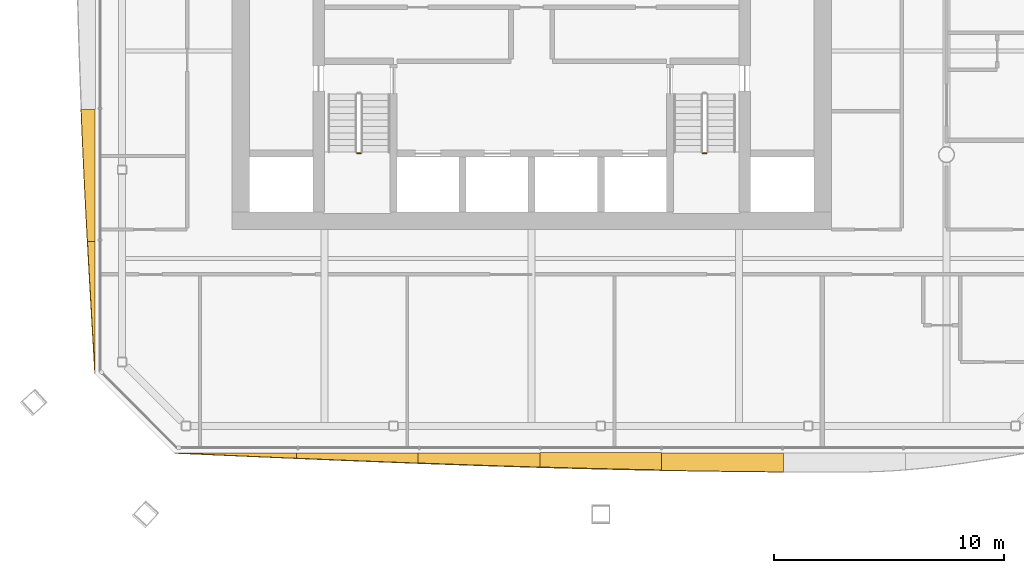
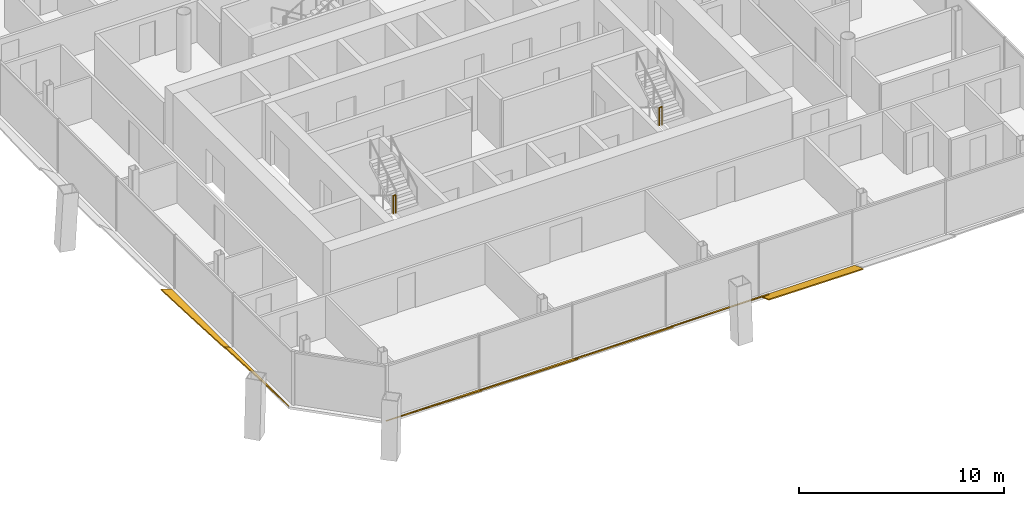
# One storey, part 16 of 18: 7 shading devices, 2 railings.
"""IFC4 building model written with IfcOpenShell, lengths in metres."""

import ifcopenshell
import ifcopenshell.guid

model = None  # the IFC model being written
_history = None  # IfcOwnerHistory: only IFC2X3 demands one
_inside = {}  # id of a spatial element -> (the spatial element, [elements in it])
_under = {}  # id of a project, library or spatial element -> (it, [spatial elements below it])
_declared = {}  # id of a project -> (the project, [libraries it declares])
_typed = {}  # id of a type object -> (the type object, [elements of that type])
_made_of = {}  # id of a material, layer set ... -> (it, [elements and type objects made of it])


def new_model(schema):
    """Start an empty IFC model of exactly this schema.

    Asked for "IFC4X3", IfcOpenShell would pick the latest addendum, in which some entities
    have other attributes; the version numbers below select the first issue.
    IFC2X3 requires an IfcOwnerHistory on every rooted entity: one is made here for all.
    """
    global model, _history
    if schema == "IFC4X3":
        model = ifcopenshell.file(schema_version=(4, 3, 0, 0))
    else:
        model = ifcopenshell.file(schema=schema)
    _inside.clear()
    _under.clear()
    _declared.clear()
    _typed.clear()
    _made_of.clear()
    _history = None
    if model.schema == "IFC2X3":
        org = make("IfcOrganization", Name="unknown")
        user = make(
            "IfcPersonAndOrganization",
            ThePerson=make("IfcPerson", FamilyName="unknown"),
            TheOrganization=org,
        )
        app = make(
            "IfcApplication",
            ApplicationDeveloper=org,
            Version="unknown",
            ApplicationFullName="unknown",
            ApplicationIdentifier="unknown",
        )
        _history = make(
            "IfcOwnerHistory",
            OwningUser=user,
            OwningApplication=app,
            ChangeAction="ADDED",
            CreationDate=0,
        )
    return model


def make(cls, **values):
    """One entity of the class cls with the attributes given. An attribute that is None is left unset."""
    return model.create_entity(
        cls, **{name: value for name, value in values.items() if value is not None}
    )


def rooted(cls, **values):
    """An entity with a GlobalId (a new one), such as an element, a storey or a relation."""
    return make(cls, GlobalId=ifcopenshell.guid.new(), OwnerHistory=_history, **values)


def si_unit(unit_type, name, prefix=None):
    """IfcSIUnit, for example si_unit("LENGTHUNIT", "METRE", prefix="MILLI")."""
    return make("IfcSIUnit", UnitType=unit_type, Prefix=prefix, Name=name)


def assignment(units):
    """IfcUnitAssignment: the units of a project."""
    return None if units is None else make("IfcUnitAssignment", Units=units)


def point(xyz):
    """IfcCartesianPoint."""
    return None if xyz is None else make("IfcCartesianPoint", Coordinates=xyz)


def direction(xyz):
    """IfcDirection."""
    return None if xyz is None else make("IfcDirection", DirectionRatios=xyz)


def frame(location, z_axis=None, x_axis=None):
    """IfcAxis2Placement3D, a coordinate frame: its origin and axes. An axis left out is left unset."""
    return make(
        "IfcAxis2Placement3D",
        Location=point(location),
        Axis=direction(z_axis),
        RefDirection=direction(x_axis),
    )


def frame_2d(location, x_axis=None):
    """IfcAxis2Placement2D, a coordinate frame in the plane: its origin and x axis."""
    return make(
        "IfcAxis2Placement2D", Location=point(location), RefDirection=direction(x_axis)
    )


def origin():
    """The frame at (0, 0, 0) with its axes left unset."""
    return frame((0.0, 0.0, 0.0))


def origin_2d():
    """The frame at (0, 0) in the plane with its x axis left unset."""
    return frame_2d((0.0, 0.0))


def place(relative_to, where):
    """IfcLocalPlacement: puts the frame where relative to a parent placement (None: the world)."""
    return make(
        "IfcLocalPlacement", PlacementRelTo=relative_to, RelativePlacement=where
    )


def context(
    kind, dimensions, precision=None, world=None, true_north=None, identifier=None
):
    """IfcGeometricRepresentationContext, for example the 3D "Model" context."""
    return make(
        "IfcGeometricRepresentationContext",
        ContextIdentifier=identifier,
        ContextType=kind,
        CoordinateSpaceDimension=dimensions,
        Precision=precision,
        WorldCoordinateSystem=world,
        TrueNorth=true_north,
    )


def subcontext(parent, identifier, kind, view, scale=None):
    """IfcGeometricRepresentationSubContext, for example "Body" below "Model"."""
    return make(
        "IfcGeometricRepresentationSubContext",
        ContextIdentifier=identifier,
        ContextType=kind,
        ParentContext=parent,
        TargetScale=scale,
        TargetView=view,
    )


def project(units=None, contexts=None):
    """IfcProject with its units and contexts."""
    return rooted(
        "IfcProject",
        Name="project",
        RepresentationContexts=contexts,
        UnitsInContext=assignment(units),
    )


def spatial(cls, under=None, at=None, **own):
    """A site, building, storey or space (cls), placed at a placement, below another one or the project."""
    s = rooted(cls, ObjectPlacement=at, **own)
    if under is not None:
        _under.setdefault(under.id(), (under, []))[1].append(s)
    return s


def polyline(points):
    """IfcPolyline through the points."""
    return make("IfcPolyline", Points=[point(p) for p in points])


def profile(cls, at=None, kind="AREA", **sizes):
    """A parametric profile (cls). Its sizes go by their IFC names, for example OverallWidth=200.0."""
    return make(cls, ProfileType=kind, Position=at, **sizes)


def circle(**sizes):
    """IfcCircleProfileDef."""
    return profile("IfcCircleProfileDef", **sizes)


def outline(outer, holes=None, kind="AREA"):
    """IfcArbitraryClosedProfileDef: a profile drawn as a closed curve; with holes, ...WithVoids."""
    if holes is None:
        return make("IfcArbitraryClosedProfileDef", ProfileType=kind, OuterCurve=outer)
    return make(
        "IfcArbitraryProfileDefWithVoids",
        ProfileType=kind,
        OuterCurve=outer,
        InnerCurves=holes,
    )


def extrude(swept, where, along, depth):
    """IfcExtrudedAreaSolid: the profile swept, set in the frame where, extruded along a direction by depth."""
    return make(
        "IfcExtrudedAreaSolid",
        SweptArea=swept,
        Position=where,
        ExtrudedDirection=direction(along),
        Depth=depth,
    )


def shape(context_of_items, identifier, shape_type, items):
    """IfcShapeRepresentation: the items that make up one representation, for example the "Body"."""
    return make(
        "IfcShapeRepresentation",
        ContextOfItems=context_of_items,
        RepresentationIdentifier=identifier,
        RepresentationType=shape_type,
        Items=items,
    )


def material(Name=None, Category=None):
    """IfcMaterial."""
    return make("IfcMaterial", Name=Name, Category=Category)


def layer(
    of_material, thickness, ventilated=None, Name=None, Category=None, Priority=None
):
    """IfcMaterialLayer: one layer of a wall or slab, of a material (None: an air gap)."""
    return make(
        "IfcMaterialLayer",
        Material=of_material,
        LayerThickness=thickness,
        IsVentilated=ventilated,
        Name=Name,
        Category=Category,
        Priority=Priority,
    )


def layer_set(layers, Name=None):
    """IfcMaterialLayerSet."""
    return make("IfcMaterialLayerSet", MaterialLayers=layers, LayerSetName=Name)


def made_of(thing, what):
    """Note that an element or type object is made of a material, layer set ...; save() writes the relation."""
    if what is not None:
        _made_of.setdefault(what.id(), (what, []))[1].append(thing)
    return thing


def type_object(cls, material=None, **own):
    """A type object (cls), such as IfcWallType, which elements share."""
    return made_of(rooted(cls, **own), material)


def element(
    cls,
    number,
    at=None,
    inside=None,
    cuts=None,
    type_object=None,
    material=None,
    context=None,
    identifier="Body",
    shape_type=None,
    held_by="IfcProductDefinitionShape",
    body=None,
    shapes=None,
    **own,
):
    """One element of the class cls, such as IfcWall. Its Tag is "e" and its number.

    at: its placement. inside: the storey or other place that contains it. cuts: it is an
    opening in that element (IfcRelVoidsElement). A single representation is given by context,
    identifier, shape_type and body (its items); several are given by shapes. held_by: the class
    of the entity that holds the representations. save() writes the other relations.
    """
    e = rooted(cls, Tag="e%d" % number, ObjectPlacement=at, **own)
    if body is not None:
        shapes = [shape(context, identifier, shape_type, body)]
    if shapes is not None:
        e.Representation = make(held_by, Representations=shapes)
    if inside is not None:
        _inside.setdefault(inside.id(), (inside, []))[1].append(e)
    if cuts is not None:
        rooted(
            "IfcRelVoidsElement", RelatingBuildingElement=cuts, RelatedOpeningElement=e
        )
    if type_object is not None:
        _typed.setdefault(type_object.id(), (type_object, []))[1].append(e)
    return made_of(e, material)


def aggregate(whole, parts):
    """IfcRelAggregates: a whole, such as a stair, and the parts it consists of."""
    return rooted("IfcRelAggregates", RelatingObject=whole, RelatedObjects=parts)


def save(model, path):
    """Write the relations noted so far, then the file.

    IfcRelAggregates (storeys below a building ...), IfcRelContainedInSpatialStructure (elements
    in a storey), IfcRelDefinesByType, IfcRelAssociatesMaterial and IfcRelDeclares: one each for
    every whole, place, type object, material and project.
    """
    for whole, parts in _under.values():
        aggregate(whole, parts)
    for where, things in _inside.values():
        rooted(
            "IfcRelContainedInSpatialStructure",
            RelatedElements=things,
            RelatingStructure=where,
        )
    for kind, things in _typed.values():
        rooted("IfcRelDefinesByType", RelatedObjects=things, RelatingType=kind)
    for what, things in _made_of.values():
        rooted("IfcRelAssociatesMaterial", RelatedObjects=things, RelatingMaterial=what)
    for by, libraries in _declared.values():
        rooted("IfcRelDeclares", RelatingContext=by, RelatedDefinitions=libraries)
    model.write(path)


model = new_model("IFC4")

# Units and contexts
model_context = context("Model", 3, precision=1e-05, world=origin(), true_north=direction((0.0, 1.0)))
body_context = subcontext(model_context, "Body", "Model", "MODEL_VIEW")
ifc_project = project(units=[si_unit("LENGTHUNIT", "METRE"), si_unit("AREAUNIT", "SQUARE_METRE"), si_unit("VOLUMEUNIT", "CUBIC_METRE"), si_unit("PLANEANGLEUNIT", "RADIAN"), si_unit("MASSUNIT", "GRAM", prefix="KILO")], contexts=[model_context])

# Site, building, storey
site_placement = place(None, origin())
site = spatial("IfcSite", under=ifc_project, at=site_placement, CompositionType="ELEMENT")
building_placement = place(site_placement, origin())
building = spatial("IfcBuilding", under=site, at=building_placement, Name="Tskaro Facet Tower", CompositionType="ELEMENT")
storey_placement = place(building_placement, frame((0.0, 0.0, 155.5)))
storey = spatial("IfcBuildingStorey", under=building, at=storey_placement, Name="L38", CompositionType="ELEMENT", Elevation=155.5)

# Shading devices
ifc_material_1 = material(Name="Bronze anodised aluminium 6063-T6", Category="aluminium")
ifc_layer = layer(ifc_material_1, 0.06005859375, Name="Bronze anodised aluminium 6063-T6")
ifc_layer_set = layer_set([ifc_layer], Name="Bronze anodised aluminium 6063-T6")
shading_device_type = type_object("IfcShadingDeviceType", Name="Bronze sun blade (FN1)", PredefinedType="USERDEFINED", material=ifc_layer_set)
shading_device_1_placement = place(storey_placement, frame((-15.49609375, -21.94873046875, 0.054443359375), z_axis=(-1.4999382e-05, 0.422552167363, 0.906338604293), x_axis=(0.999999999888, 6.338021e-06, 1.3594519e-05)))
element("IfcShadingDevice", 1, at=shading_device_1_placement, inside=storey, type_object=shading_device_type, Name="Fin blade south 1", ObjectType="FIN", PredefinedType="USERDEFINED", context=body_context, shape_type="SweptSolid", body=[
    extrude(outline(polyline([(0.0, 0.0), (5.284667968155524, 0.0), (5.284667969335745, -0.2540527972668729), (4.624023436882823, -0.22303552271960905), (3.9636230481496115, -0.19157570002566796), (3.3029785154724527, -0.16001271518148014), (2.6423339843426628, -0.12822845626395368), (1.9816894532128724, -0.09644419734642723), (1.3212890609364492, -0.06433550220531545), (0.6606445295824217, -0.03200553299086506), (0.0, 0.0)])), origin(), (0.0, 0.0, -1.0), 0.06005859375),
])
shading_device_2_placement = place(storey_placement, frame((-10.21142578125, -21.944091796875, 0.052001953125), z_axis=(1.4108111e-05, 0.500038912681, 0.866002936257), x_axis=(0.9999999999, -7.054604e-06, -1.2217666e-05)))
element("IfcShadingDevice", 2, at=shading_device_2_placement, inside=storey, type_object=shading_device_type, Name="Fin blade south 2", ObjectType="FIN", PredefinedType="USERDEFINED", context=body_context, shape_type="SweptSolid", body=[
    extrude(outline(polyline([(0.0, 0.0), (5.284667968224073, 0.0), (5.284667969021232, -0.5108002986743769), (4.624023438147674, -0.48203208691702326), (3.963378906812314, -0.45271894235072974), (3.3027343750151514, -0.4228608649754966), (2.6423339846416756, -0.39212434848051453), (1.9816894536432232, -0.3613878319855325), (1.3210449204606531, -0.32989495618348014), (0.6606445291635714, -0.29806857407061865), (-1.4979727756947296e-09, -0.2659086856469481), (0.0, 0.0)])), origin(), (0.0, 0.0, -1.0), 0.06005859375),
])
shading_device_3_placement = place(storey_placement, frame((-4.9267578125, -21.939697265625, 0.049072265625), z_axis=(-3.345489e-06, 0.573693074049, 0.81907036131), x_axis=(0.999999999994, 1.919284e-06, 2.740191e-06)))
element("IfcShadingDevice", 3, at=shading_device_3_placement, inside=storey, type_object=shading_device_type, Name="Fin blade south 3", ObjectType="FIN", PredefinedType="USERDEFINED", context=body_context, shape_type="SweptSolid", body=[
    extrude(outline(polyline([(0.0, 0.0), (5.284423828095428, 0.0), (5.284423828118872, -0.7562094968863979), (4.623779296694618, -0.732028538759571), (3.963378906632096, -0.7071076137972956), (3.3027343748747504, -0.6813665667781876), (2.6420898436537215, -0.6545455227880435), (1.9816894533258496, -0.6271844803123812), (1.3210449217717288, -0.5988033474299559), (0.6604003904857666, -0.5698822160620126), (-1.0745558513019951e-10, -0.5400810560729635), (0.0, 0.0)])), origin(), (0.0, 0.0, -1.0), 0.06005859375),
])
shading_device_4_placement = place(storey_placement, frame((0.357666015625, -21.935546875, 0.0458984375), z_axis=(-1.8841107e-05, 0.642883176508, 0.765964242643), x_axis=(0.999999999823, 1.2112631e-05, 1.4431615e-05)))
element("IfcShadingDevice", 4, at=shading_device_4_placement, inside=storey, type_object=shading_device_type, Name="Fin blade south 4", ObjectType="FIN", PredefinedType="USERDEFINED", context=body_context, shape_type="SweptSolid", body=[
    extrude(outline(polyline([(0.0, 0.0), (5.2846679678120045, 0.0), (5.284667970294188, -0.9754437167105605), (4.624023434384632, -0.9586566357602403), (3.963378906214314, -0.9406206320640362), (3.302978513447135, -0.9213958037987828), (2.642333984837054, -0.9011090557766055), (1.9816894539623406, -0.879446480196419), (1.3212890625802678, -0.857095990837228), (0.6606445312657911, -0.8331826709310682), (-1.1810016958029365e-09, -0.8085814372459039), (0.0, 0.0)])), origin(), (0.0, 0.0, -1.0), 0.06005859375),
])
shading_device_5_placement = place(storey_placement, frame((5.642333984375, -21.953369140625, 0.056396484375), z_axis=(5.76558e-06, 0.341985946486, 0.939705066695), x_axis=(0.999999999983, -1.971747e-06, -5.417945e-06)))
element("IfcShadingDevice", 5, at=shading_device_5_placement, inside=storey, type_object=shading_device_type, Name="Fin blade south 5", ObjectType="FIN", PredefinedType="USERDEFINED", context=body_context, shape_type="SweptSolid", body=[
    extrude(outline(polyline([(0.0, 0.0), (5.284423828037168, 0.0), (5.284423828368903, -0.8682493271195814), (4.624023436905006, -0.8628470546522055), (3.96337890553606, -0.8563601161301844), (3.3027343748870597, -0.8487885115535181), (2.642333984260261, -0.8402157335849242), (1.9816894537284135, -0.830558289561685), (1.3210449225937717, -0.8198996721465182), (0.6606445309999479, -0.8080104611571213), (-1.7541813141249728e-11, -0.7952660042953816), (0.0, 0.0)])), origin(), (0.0, 0.0, -1.0), 0.06005859375),
])
shading_device_6_placement = place(storey_placement, frame((-18.953369140625, -7.042236328125, 0.056396484375), z_axis=(0.341909680659, -1.5080162e-05, 0.939732818435), x_axis=(-5.156054e-06, -0.999999999886, -1.4171324e-05)))
element("IfcShadingDevice", 6, at=shading_device_6_placement, inside=storey, type_object=shading_device_type, Name="Fin blade west 5", ObjectType="FIN", PredefinedType="USERDEFINED", context=body_context, shape_type="SweptSolid", body=[
    extrude(outline(polyline([(0.0, 0.0), (5.727050780598803, 4.851000702317231e-21), (5.727050779955504, -0.3476251283469711), (5.010986327335497, -0.3884031811572466), (4.295166015966045, -0.42786715109298434), (3.579345703021181, -0.46632993915497556), (2.8635253907018976, -0.5034786443424291), (2.1477050768072012, -0.539626167656136), (1.4318847657390792, -0.5741467070945141), (0.7160644540377363, -0.6071237367007029), (-2.381595903583422e-09, -0.6386407305178412), (0.0, 0.0)])), origin(), (0.0, 0.0, -1.0), 0.06005859375),
])
shading_device_7_placement = place(storey_placement, frame((-18.94873046875, -12.769287109375, 0.054443359375), z_axis=(0.422372981785, -2.0037794e-05, 0.906422122334), x_axis=(-8.463423e-06, -0.999999999799, -1.81627e-05)))
element("IfcShadingDevice", 7, at=shading_device_7_placement, inside=storey, type_object=shading_device_type, Name="Fin blade west 6", ObjectType="FIN", PredefinedType="USERDEFINED", context=body_context, shape_type="SweptSolid", body=[
    extrude(outline(polyline([(0.0, 0.0), (5.726806639475306, 0.0), (5.010742187151468, -0.04631212002498445), (4.294921873386315, -0.09240294558646404), (3.579101561989151, -0.1381693582806619), (2.863281250591986, -0.18393577097485977), (2.147460937430278, -0.2289351818747662), (1.4316406245702922, -0.27338888544388606), (0.7158203120120288, -0.31729688168221937), (-2.3107779072222466e-09, -0.3604378761262612), (0.0, 0.0)])), origin(), (0.0, 0.0, -1.0), 0.06005859375),
])

# Railings
ifc_material_2 = material(Name="Stainless steel", Category="steel")
railing_type = type_object("IfcRailingType", Name="RL-GUARD-1100", PredefinedType="GUARDRAIL", material=ifc_material_2)
for number, where, name in (
    (8, (-7.574951171875, -8.945068359375, 1.699951171875), "L38 ST-1 stair guard 2"),
    (9, (7.425048828125, -8.945068359375, 1.699951171875), "L38 ST-2 stair guard 2"),
):
    element("IfcRailing", number, at=place(storey_placement, frame(where)), inside=storey, type_object=railing_type, Name=name, PredefinedType="GUARDRAIL", context=body_context, shape_type="SweptSolid", body=[
        extrude(circle(Radius=0.02392578125, at=origin_2d()), frame((0.0, 0.0, 1.076171875), z_axis=(1.0, 0.0, 0.0), x_axis=(0.0, 1.0, 0.0)), (0.0, 0.0, 1.0), 0.14990234375),
        extrude(circle(Radius=0.02099609375, at=origin_2d()), origin(), (0.0, 0.0, 1.0), 1.052001953125),
        extrude(circle(Radius=0.02099609375, at=origin_2d()), frame((0.14990234375, 0.0, 0.0)), (0.0, 0.0, 1.0), 1.052001953125),
    ])

save(model, "model.ifc")
